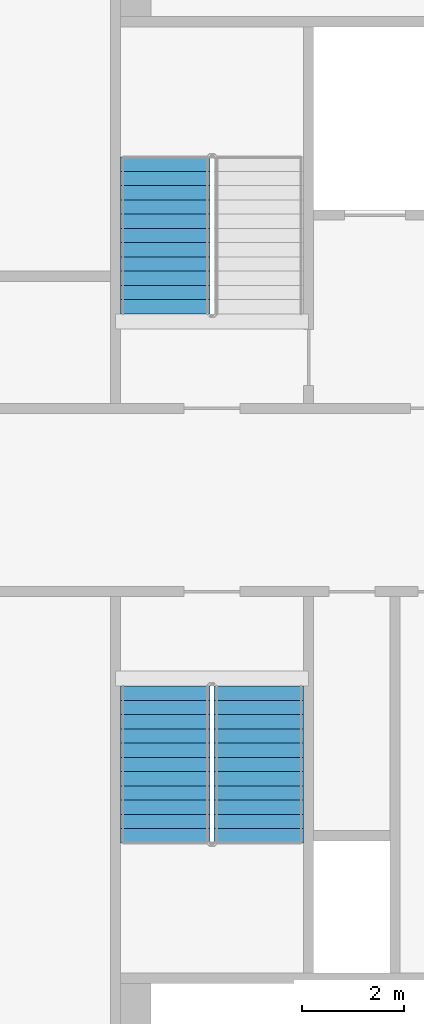
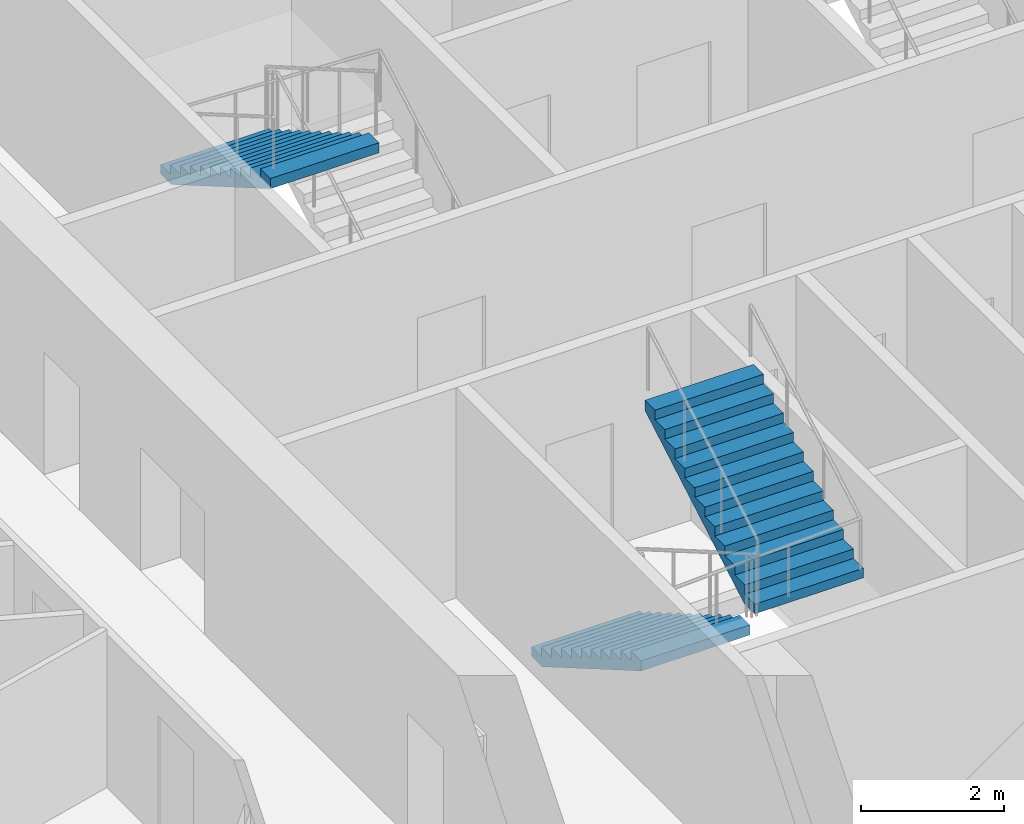
# One storey, part 8 of 11: 3 stair flights, 2 elements without a shape of their own.
"""IFC4 building model written with IfcOpenShell, lengths in metres."""

import ifcopenshell
import ifcopenshell.guid

model = None  # the IFC model being written
_history = None  # IfcOwnerHistory: only IFC2X3 demands one
_inside = {}  # id of a spatial element -> (the spatial element, [elements in it])
_under = {}  # id of a project, library or spatial element -> (it, [spatial elements below it])
_declared = {}  # id of a project -> (the project, [libraries it declares])
_typed = {}  # id of a type object -> (the type object, [elements of that type])
_made_of = {}  # id of a material, layer set ... -> (it, [elements and type objects made of it])


def new_model(schema):
    """Start an empty IFC model of exactly this schema.

    Asked for "IFC4X3", IfcOpenShell would pick the latest addendum, in which some entities
    have other attributes; the version numbers below select the first issue.
    IFC2X3 requires an IfcOwnerHistory on every rooted entity: one is made here for all.
    """
    global model, _history
    if schema == "IFC4X3":
        model = ifcopenshell.file(schema_version=(4, 3, 0, 0))
    else:
        model = ifcopenshell.file(schema=schema)
    _inside.clear()
    _under.clear()
    _declared.clear()
    _typed.clear()
    _made_of.clear()
    _history = None
    if model.schema == "IFC2X3":
        org = make("IfcOrganization", Name="unknown")
        user = make(
            "IfcPersonAndOrganization",
            ThePerson=make("IfcPerson", FamilyName="unknown"),
            TheOrganization=org,
        )
        app = make(
            "IfcApplication",
            ApplicationDeveloper=org,
            Version="unknown",
            ApplicationFullName="unknown",
            ApplicationIdentifier="unknown",
        )
        _history = make(
            "IfcOwnerHistory",
            OwningUser=user,
            OwningApplication=app,
            ChangeAction="ADDED",
            CreationDate=0,
        )
    return model


def make(cls, **values):
    """One entity of the class cls with the attributes given. An attribute that is None is left unset."""
    return model.create_entity(
        cls, **{name: value for name, value in values.items() if value is not None}
    )


def rooted(cls, **values):
    """An entity with a GlobalId (a new one), such as an element, a storey or a relation."""
    return make(cls, GlobalId=ifcopenshell.guid.new(), OwnerHistory=_history, **values)


def si_unit(unit_type, name, prefix=None):
    """IfcSIUnit, for example si_unit("LENGTHUNIT", "METRE", prefix="MILLI")."""
    return make("IfcSIUnit", UnitType=unit_type, Prefix=prefix, Name=name)


def assignment(units):
    """IfcUnitAssignment: the units of a project."""
    return None if units is None else make("IfcUnitAssignment", Units=units)


def point(xyz):
    """IfcCartesianPoint."""
    return None if xyz is None else make("IfcCartesianPoint", Coordinates=xyz)


def direction(xyz):
    """IfcDirection."""
    return None if xyz is None else make("IfcDirection", DirectionRatios=xyz)


def frame(location, z_axis=None, x_axis=None):
    """IfcAxis2Placement3D, a coordinate frame: its origin and axes. An axis left out is left unset."""
    return make(
        "IfcAxis2Placement3D",
        Location=point(location),
        Axis=direction(z_axis),
        RefDirection=direction(x_axis),
    )


def origin():
    """The frame at (0, 0, 0) with its axes left unset."""
    return frame((0.0, 0.0, 0.0))


def place(relative_to, where):
    """IfcLocalPlacement: puts the frame where relative to a parent placement (None: the world)."""
    return make(
        "IfcLocalPlacement", PlacementRelTo=relative_to, RelativePlacement=where
    )


def context(
    kind, dimensions, precision=None, world=None, true_north=None, identifier=None
):
    """IfcGeometricRepresentationContext, for example the 3D "Model" context."""
    return make(
        "IfcGeometricRepresentationContext",
        ContextIdentifier=identifier,
        ContextType=kind,
        CoordinateSpaceDimension=dimensions,
        Precision=precision,
        WorldCoordinateSystem=world,
        TrueNorth=true_north,
    )


def subcontext(parent, identifier, kind, view, scale=None):
    """IfcGeometricRepresentationSubContext, for example "Body" below "Model"."""
    return make(
        "IfcGeometricRepresentationSubContext",
        ContextIdentifier=identifier,
        ContextType=kind,
        ParentContext=parent,
        TargetScale=scale,
        TargetView=view,
    )


def project(units=None, contexts=None):
    """IfcProject with its units and contexts."""
    return rooted(
        "IfcProject",
        Name="project",
        RepresentationContexts=contexts,
        UnitsInContext=assignment(units),
    )


def spatial(cls, under=None, at=None, **own):
    """A site, building, storey or space (cls), placed at a placement, below another one or the project."""
    s = rooted(cls, ObjectPlacement=at, **own)
    if under is not None:
        _under.setdefault(under.id(), (under, []))[1].append(s)
    return s


def faces_of(points, faces, orient=None, outer=None):
    """IfcFace entities. A face is a list of loops; a loop is a list of indices into points, from 0.

    orient and outer hold one flag for each loop. By default every Orientation is true, the
    first loop of a face is its IfcFaceOuterBound and the others are IfcFaceBound.
    """
    made = []
    for i, loops in enumerate(faces):
        bounds = []
        for j, loop in enumerate(loops):
            is_outer = j == 0 if outer is None else outer[i][j]
            bounds.append(
                make(
                    "IfcFaceOuterBound" if is_outer else "IfcFaceBound",
                    Bound=make("IfcPolyLoop", Polygon=[points[k] for k in loop]),
                    Orientation=True if orient is None else orient[i][j],
                )
            )
        made.append(make("IfcFace", Bounds=bounds))
    return made


def faceted_brep(points, faces, orient=None, outer=None, voids=None):
    """IfcFacetedBrep: a solid bounded by flat faces; with voids (closed shells), ...WithVoids."""
    shared = [point(p) for p in points]
    hull = make("IfcClosedShell", CfsFaces=faces_of(shared, faces, orient, outer))
    if voids is None:
        return make("IfcFacetedBrep", Outer=hull)
    return make(
        "IfcFacetedBrepWithVoids",
        Outer=hull,
        Voids=[
            make(cls, CfsFaces=faces_of(shared, fs, o, b)) for cls, fs, o, b in voids
        ],
    )


def shape(context_of_items, identifier, shape_type, items):
    """IfcShapeRepresentation: the items that make up one representation, for example the "Body"."""
    return make(
        "IfcShapeRepresentation",
        ContextOfItems=context_of_items,
        RepresentationIdentifier=identifier,
        RepresentationType=shape_type,
        Items=items,
    )


def material(Name=None, Category=None):
    """IfcMaterial."""
    return make("IfcMaterial", Name=Name, Category=Category)


def made_of(thing, what):
    """Note that an element or type object is made of a material, layer set ...; save() writes the relation."""
    if what is not None:
        _made_of.setdefault(what.id(), (what, []))[1].append(thing)
    return thing


def type_object(cls, material=None, **own):
    """A type object (cls), such as IfcWallType, which elements share."""
    return made_of(rooted(cls, **own), material)


def element(
    cls,
    number,
    at=None,
    inside=None,
    cuts=None,
    type_object=None,
    material=None,
    context=None,
    identifier="Body",
    shape_type=None,
    held_by="IfcProductDefinitionShape",
    body=None,
    shapes=None,
    **own,
):
    """One element of the class cls, such as IfcWall. Its Tag is "e" and its number.

    at: its placement. inside: the storey or other place that contains it. cuts: it is an
    opening in that element (IfcRelVoidsElement). A single representation is given by context,
    identifier, shape_type and body (its items); several are given by shapes. held_by: the class
    of the entity that holds the representations. save() writes the other relations.
    """
    e = rooted(cls, Tag="e%d" % number, ObjectPlacement=at, **own)
    if body is not None:
        shapes = [shape(context, identifier, shape_type, body)]
    if shapes is not None:
        e.Representation = make(held_by, Representations=shapes)
    if inside is not None:
        _inside.setdefault(inside.id(), (inside, []))[1].append(e)
    if cuts is not None:
        rooted(
            "IfcRelVoidsElement", RelatingBuildingElement=cuts, RelatedOpeningElement=e
        )
    if type_object is not None:
        _typed.setdefault(type_object.id(), (type_object, []))[1].append(e)
    return made_of(e, material)


def aggregate(whole, parts):
    """IfcRelAggregates: a whole, such as a stair, and the parts it consists of."""
    return rooted("IfcRelAggregates", RelatingObject=whole, RelatedObjects=parts)


def save(model, path):
    """Write the relations noted so far, then the file.

    IfcRelAggregates (storeys below a building ...), IfcRelContainedInSpatialStructure (elements
    in a storey), IfcRelDefinesByType, IfcRelAssociatesMaterial and IfcRelDeclares: one each for
    every whole, place, type object, material and project.
    """
    for whole, parts in _under.values():
        aggregate(whole, parts)
    for where, things in _inside.values():
        rooted(
            "IfcRelContainedInSpatialStructure",
            RelatedElements=things,
            RelatingStructure=where,
        )
    for kind, things in _typed.values():
        rooted("IfcRelDefinesByType", RelatedObjects=things, RelatingType=kind)
    for what, things in _made_of.values():
        rooted("IfcRelAssociatesMaterial", RelatedObjects=things, RelatingMaterial=what)
    for by, libraries in _declared.values():
        rooted("IfcRelDeclares", RelatingContext=by, RelatedDefinitions=libraries)
    model.write(path)


model = new_model("IFC4")

# Units and contexts
model_context = context("Model", 3, precision=1e-05, world=origin(), true_north=direction((0.0, 1.0)))
body_context = subcontext(model_context, "Body", "Model", "MODEL_VIEW")
ifc_project = project(units=[si_unit("LENGTHUNIT", "METRE"), si_unit("AREAUNIT", "SQUARE_METRE"), si_unit("VOLUMEUNIT", "CUBIC_METRE"), si_unit("PLANEANGLEUNIT", "RADIAN"), si_unit("MASSUNIT", "GRAM", prefix="KILO")], contexts=[model_context])

# Site, building, storey
site_placement = place(None, origin())
site = spatial("IfcSite", under=ifc_project, at=site_placement, CompositionType="ELEMENT")
building_placement = place(site_placement, origin())
building = spatial("IfcBuilding", under=site, at=building_placement, Name="Tarsis Ring Headquarters", CompositionType="ELEMENT")
storey_placement = place(building_placement, frame((0.0, 0.0, 190.5)))
storey = spatial("IfcBuildingStorey", under=building, at=storey_placement, Name="L44", CompositionType="ELEMENT", Elevation=190.5)

# Stair, stair flight
ifc_material_1 = material(Name="Core stair 1760")
stair_type = type_object("IfcStairType", Name="Core stair 1760", PredefinedType="HALF_TURN_STAIR", material=ifc_material_1)
stair_1_placement = place(storey_placement, origin())
stair_1 = element("IfcStair", 1, at=stair_1_placement, inside=storey, type_object=stair_type, Name="L44 Firefighting stair", PredefinedType="HALF_TURN_STAIR")
ifc_material_2 = material(Name="Concrete C40/50", Category="concrete")
stair_flight_type = type_object("IfcStairFlightType", Name="Core stair flight 1760", PredefinedType="STRAIGHT", material=ifc_material_2)
stair_flight_1_placement = place(storey_placement, frame((-5.419921875, 6.739990234375, 1.949951171875), z_axis=(0.0, 0.0, 1.0), x_axis=(0.0, -1.0, 0.0)))
stair_flight_1 = element("IfcStairFlight", 2, at=stair_flight_1_placement, type_object=stair_flight_type, Name="Stair ST1 flight 2", NumberOfRisers=12, NumberOfTreads=11, PredefinedType="STRAIGHT", RiserHeight=0.1625, TreadLength=0.28, context=body_context, shape_type="Brep", body=[
    faceted_brep([(0.0, 0.8798828125, 0.0), (0.0, 0.8798828125, 0.16259765625), (0.280029296875, 0.8798828125, 0.16259765625), (0.280029296875, 0.8798828125, 0.324951171875), (0.56005859375, 0.8798828125, 0.324951171875), (0.56005859375, 0.8798828125, 0.487548828125), (0.840087890625, 0.8798828125, 0.487548828125), (0.840087890625, 0.8798828125, 0.64990234375), (1.1201171875, 0.8798828125, 0.64990234375), (1.1201171875, 0.8798828125, 0.8125), (1.39990234375, 0.8798828125, 0.8125), (1.39990234375, 0.8798828125, 0.97509765625), (1.679931640625, 0.8798828125, 0.97509765625), (1.679931640625, 0.8798828125, 1.137451171875), (1.9599609375, 0.8798828125, 1.137451171875), (1.9599609375, 0.8798828125, 1.300048828125), (2.239990234375, 0.8798828125, 1.300048828125), (2.239990234375, 0.8798828125, 1.46240234375), (2.52001953125, 0.8798828125, 1.46240234375), (2.52001953125, 0.8798828125, 1.625), (2.800048828125, 0.8798828125, 1.625), (2.800048828125, 0.8798828125, 1.78759765625), (3.080078125, 0.8798828125, 1.78759765625), (3.080078125, 0.8798828125, 1.6142578125), (0.298583984375, 0.8798828125, 0.0), (0.298583984375, -0.8798828125, 0.0), (3.080078125, -0.8798828125, 1.6142578125), (3.080078125, -0.8798828125, 1.78759765625), (2.800048828125, -0.8798828125, 1.78759765625), (2.800048828125, -0.8798828125, 1.625), (2.52001953125, -0.8798828125, 1.625), (2.52001953125, -0.8798828125, 1.46240234375), (2.239990234375, -0.8798828125, 1.46240234375), (2.239990234375, -0.8798828125, 1.300048828125), (1.9599609375, -0.8798828125, 1.300048828125), (1.9599609375, -0.8798828125, 1.137451171875), (1.679931640625, -0.8798828125, 1.137451171875), (1.679931640625, -0.8798828125, 0.97509765625), (1.39990234375, -0.8798828125, 0.97509765625), (1.39990234375, -0.8798828125, 0.8125), (1.1201171875, -0.8798828125, 0.8125), (1.1201171875, -0.8798828125, 0.64990234375), (0.840087890625, -0.8798828125, 0.64990234375), (0.840087890625, -0.8798828125, 0.487548828125), (0.56005859375, -0.8798828125, 0.487548828125), (0.56005859375, -0.8798828125, 0.324951171875), (0.280029296875, -0.8798828125, 0.324951171875), (0.280029296875, -0.8798828125, 0.16259765625), (0.0, -0.8798828125, 0.16259765625), (0.0, -0.8798828125, 0.0), (0.0, -0.43994140625, 0.16259765625), (0.0, -0.43994140625, 0.0), (0.0, 0.0, 0.16259765625), (0.0, 0.0, 0.0), (0.0, 0.43994140625, 0.16259765625), (0.0, 0.43994140625, 0.0), (0.280029296875, -0.43994140625, 0.16259765625), (0.280029296875, 0.0, 0.16259765625), (0.280029296875, 0.43994140625, 0.16259765625), (0.280029296875, -0.43994140625, 0.324951171875), (0.280029296875, 0.0, 0.324951171875), (0.280029296875, 0.43994140625, 0.324951171875), (0.56005859375, -0.43994140625, 0.324951171875), (0.56005859375, 0.0, 0.324951171875), (0.56005859375, 0.43994140625, 0.324951171875), (0.56005859375, -0.43994140625, 0.487548828125), (0.56005859375, 0.0, 0.487548828125), (0.56005859375, 0.43994140625, 0.487548828125), (0.840087890625, -0.43994140625, 0.487548828125), (0.840087890625, 0.0, 0.487548828125), (0.840087890625, 0.43994140625, 0.487548828125), (0.840087890625, -0.43994140625, 0.64990234375), (0.840087890625, 0.0, 0.64990234375), (0.840087890625, 0.43994140625, 0.64990234375), (1.1201171875, -0.43994140625, 0.64990234375), (1.1201171875, 0.0, 0.64990234375), (1.1201171875, 0.43994140625, 0.64990234375), (1.1201171875, -0.43994140625, 0.8125), (1.1201171875, 0.0, 0.8125), (1.1201171875, 0.43994140625, 0.8125), (1.39990234375, -0.43994140625, 0.8125), (1.39990234375, 0.0, 0.8125), (1.39990234375, 0.43994140625, 0.8125), (1.39990234375, -0.43994140625, 0.97509765625), (1.39990234375, 0.0, 0.97509765625), (1.39990234375, 0.43994140625, 0.97509765625), (1.679931640625, -0.43994140625, 0.97509765625), (1.679931640625, 0.0, 0.97509765625), (1.679931640625, 0.43994140625, 0.97509765625), (1.679931640625, -0.43994140625, 1.137451171875), (1.679931640625, 0.0, 1.137451171875), (1.679931640625, 0.43994140625, 1.137451171875), (1.9599609375, -0.43994140625, 1.137451171875), (1.9599609375, 0.0, 1.137451171875), (1.9599609375, 0.43994140625, 1.137451171875), (1.9599609375, -0.43994140625, 1.300048828125), (1.9599609375, 0.0, 1.300048828125), (1.9599609375, 0.43994140625, 1.300048828125), (2.239990234375, -0.43994140625, 1.300048828125), (2.239990234375, 0.0, 1.300048828125), (2.239990234375, 0.43994140625, 1.300048828125), (2.239990234375, -0.43994140625, 1.46240234375), (2.239990234375, 0.0, 1.46240234375), (2.239990234375, 0.43994140625, 1.46240234375), (2.52001953125, -0.43994140625, 1.46240234375), (2.52001953125, 0.0, 1.46240234375), (2.52001953125, 0.43994140625, 1.46240234375), (2.52001953125, -0.43994140625, 1.625), (2.52001953125, 0.0, 1.625), (2.52001953125, 0.43994140625, 1.625), (2.800048828125, -0.43994140625, 1.625), (2.800048828125, 0.0, 1.625), (2.800048828125, 0.43994140625, 1.625), (2.800048828125, -0.43994140625, 1.78759765625), (2.800048828125, 0.0, 1.78759765625), (2.800048828125, 0.43994140625, 1.78759765625), (3.080078125, -0.43994140625, 1.78759765625), (3.080078125, 0.0, 1.78759765625), (3.080078125, 0.43994140625, 1.78759765625), (3.080078125, -0.43994140625, 1.6142578125), (3.080078125, 0.0, 1.6142578125), (3.080078125, 0.43994140625, 1.6142578125), (0.298583984375, -0.43994140625, 0.0), (0.298583984375, 0.0, 0.0), (0.298583984375, 0.43994140625, 0.0)], [[[0, 1, 2, 3, 4, 5, 6, 7, 8, 9, 10, 11, 12, 13, 14, 15, 16, 17, 18, 19, 20, 21, 22, 23, 24]], [[25, 26, 27, 28, 29, 30, 31, 32, 33, 34, 35, 36, 37, 38, 39, 40, 41, 42, 43, 44, 45, 46, 47, 48, 49]], [[49, 48, 50, 51]], [[51, 50, 52, 53]], [[53, 52, 54, 55]], [[55, 54, 1, 0]], [[48, 47, 56, 50]], [[50, 56, 57, 52]], [[52, 57, 58, 54]], [[54, 58, 2, 1]], [[47, 46, 59, 56]], [[56, 59, 60, 57]], [[57, 60, 61, 58]], [[58, 61, 3, 2]], [[46, 45, 62, 59]], [[59, 62, 63, 60]], [[60, 63, 64, 61]], [[61, 64, 4, 3]], [[45, 44, 65, 62]], [[62, 65, 66, 63]], [[63, 66, 67, 64]], [[64, 67, 5, 4]], [[44, 43, 68, 65]], [[65, 68, 69, 66]], [[66, 69, 70, 67]], [[67, 70, 6, 5]], [[43, 42, 71, 68]], [[68, 71, 72, 69]], [[69, 72, 73, 70]], [[70, 73, 7, 6]], [[42, 41, 74, 71]], [[71, 74, 75, 72]], [[72, 75, 76, 73]], [[73, 76, 8, 7]], [[41, 40, 77, 74]], [[74, 77, 78, 75]], [[75, 78, 79, 76]], [[76, 79, 9, 8]], [[40, 39, 80, 77]], [[77, 80, 81, 78]], [[78, 81, 82, 79]], [[79, 82, 10, 9]], [[39, 38, 83, 80]], [[80, 83, 84, 81]], [[81, 84, 85, 82]], [[82, 85, 11, 10]], [[38, 37, 86, 83]], [[83, 86, 87, 84]], [[84, 87, 88, 85]], [[85, 88, 12, 11]], [[37, 36, 89, 86]], [[86, 89, 90, 87]], [[87, 90, 91, 88]], [[88, 91, 13, 12]], [[36, 35, 92, 89]], [[89, 92, 93, 90]], [[90, 93, 94, 91]], [[91, 94, 14, 13]], [[35, 34, 95, 92]], [[92, 95, 96, 93]], [[93, 96, 97, 94]], [[94, 97, 15, 14]], [[34, 33, 98, 95]], [[95, 98, 99, 96]], [[96, 99, 100, 97]], [[97, 100, 16, 15]], [[33, 32, 101, 98]], [[98, 101, 102, 99]], [[99, 102, 103, 100]], [[100, 103, 17, 16]], [[32, 31, 104, 101]], [[101, 104, 105, 102]], [[102, 105, 106, 103]], [[103, 106, 18, 17]], [[31, 30, 107, 104]], [[104, 107, 108, 105]], [[105, 108, 109, 106]], [[106, 109, 19, 18]], [[30, 29, 110, 107]], [[107, 110, 111, 108]], [[108, 111, 112, 109]], [[109, 112, 20, 19]], [[29, 28, 113, 110]], [[110, 113, 114, 111]], [[111, 114, 115, 112]], [[112, 115, 21, 20]], [[28, 27, 116, 113]], [[113, 116, 117, 114]], [[114, 117, 118, 115]], [[115, 118, 22, 21]], [[27, 26, 119, 116]], [[116, 119, 120, 117]], [[117, 120, 121, 118]], [[118, 121, 23, 22]], [[26, 25, 122, 119]], [[119, 122, 123, 120]], [[120, 123, 124, 121]], [[121, 124, 24, 23]], [[25, 49, 51, 122]], [[122, 51, 53, 123]], [[123, 53, 55, 124]], [[124, 55, 0, 24]]]),
])
aggregate(stair_1, [stair_flight_1])

# Stair, stair flights
stair_2_placement = place(storey_placement, origin())
stair_2 = element("IfcStair", 3, at=stair_2_placement, inside=storey, type_object=stair_type, Name="L44 Exit stair C", PredefinedType="HALF_TURN_STAIR")
stair_flight_2_placement = place(storey_placement, frame((-5.419921875, -3.659912109375, 0.0), z_axis=(0.0, 0.0, 1.0), x_axis=(0.0, -1.0, 0.0)))
stair_flight_2 = element("IfcStairFlight", 4, at=stair_flight_2_placement, type_object=stair_flight_type, Name="Stair ST3 flight 1", NumberOfRisers=12, NumberOfTreads=11, PredefinedType="STRAIGHT", RiserHeight=0.1625, TreadLength=0.28, context=body_context, shape_type="Brep", body=[
    faceted_brep([(0.0, 0.8798828125, 0.0), (0.0, 0.8798828125, 0.16259765625), (0.280029296875, 0.8798828125, 0.16259765625), (0.280029296875, 0.8798828125, 0.324951171875), (0.56005859375, 0.8798828125, 0.324951171875), (0.56005859375, 0.8798828125, 0.487548828125), (0.840087890625, 0.8798828125, 0.487548828125), (0.840087890625, 0.8798828125, 0.64990234375), (1.1201171875, 0.8798828125, 0.64990234375), (1.1201171875, 0.8798828125, 0.8125), (1.39990234375, 0.8798828125, 0.8125), (1.39990234375, 0.8798828125, 0.97509765625), (1.679931640625, 0.8798828125, 0.97509765625), (1.679931640625, 0.8798828125, 1.137451171875), (1.9599609375, 0.8798828125, 1.137451171875), (1.9599609375, 0.8798828125, 1.300048828125), (2.239990234375, 0.8798828125, 1.300048828125), (2.239990234375, 0.8798828125, 1.46240234375), (2.52001953125, 0.8798828125, 1.46240234375), (2.52001953125, 0.8798828125, 1.625), (2.800048828125, 0.8798828125, 1.625), (2.800048828125, 0.8798828125, 1.78759765625), (3.080078125, 0.8798828125, 1.78759765625), (3.080078125, 0.8798828125, 1.6142578125), (0.298583984375, 0.8798828125, 0.0), (0.298583984375, -0.8798828125, 0.0), (3.080078125, -0.8798828125, 1.6142578125), (3.080078125, -0.8798828125, 1.78759765625), (2.800048828125, -0.8798828125, 1.78759765625), (2.800048828125, -0.8798828125, 1.625), (2.52001953125, -0.8798828125, 1.625), (2.52001953125, -0.8798828125, 1.46240234375), (2.239990234375, -0.8798828125, 1.46240234375), (2.239990234375, -0.8798828125, 1.300048828125), (1.9599609375, -0.8798828125, 1.300048828125), (1.9599609375, -0.8798828125, 1.137451171875), (1.679931640625, -0.8798828125, 1.137451171875), (1.679931640625, -0.8798828125, 0.97509765625), (1.39990234375, -0.8798828125, 0.97509765625), (1.39990234375, -0.8798828125, 0.8125), (1.1201171875, -0.8798828125, 0.8125), (1.1201171875, -0.8798828125, 0.64990234375), (0.840087890625, -0.8798828125, 0.64990234375), (0.840087890625, -0.8798828125, 0.487548828125), (0.56005859375, -0.8798828125, 0.487548828125), (0.56005859375, -0.8798828125, 0.324951171875), (0.280029296875, -0.8798828125, 0.324951171875), (0.280029296875, -0.8798828125, 0.16259765625), (0.0, -0.8798828125, 0.16259765625), (0.0, -0.8798828125, 0.0), (0.0, -0.43994140625, 0.16259765625), (0.0, -0.43994140625, 0.0), (0.0, 0.0, 0.16259765625), (0.0, 0.0, 0.0), (0.0, 0.43994140625, 0.16259765625), (0.0, 0.43994140625, 0.0), (0.280029296875, -0.43994140625, 0.16259765625), (0.280029296875, 0.0, 0.16259765625), (0.280029296875, 0.43994140625, 0.16259765625), (0.280029296875, -0.43994140625, 0.324951171875), (0.280029296875, 0.0, 0.324951171875), (0.280029296875, 0.43994140625, 0.324951171875), (0.56005859375, -0.43994140625, 0.324951171875), (0.56005859375, 0.0, 0.324951171875), (0.56005859375, 0.43994140625, 0.324951171875), (0.56005859375, -0.43994140625, 0.487548828125), (0.56005859375, 0.0, 0.487548828125), (0.56005859375, 0.43994140625, 0.487548828125), (0.840087890625, -0.43994140625, 0.487548828125), (0.840087890625, 0.0, 0.487548828125), (0.840087890625, 0.43994140625, 0.487548828125), (0.840087890625, -0.43994140625, 0.64990234375), (0.840087890625, 0.0, 0.64990234375), (0.840087890625, 0.43994140625, 0.64990234375), (1.1201171875, -0.43994140625, 0.64990234375), (1.1201171875, 0.0, 0.64990234375), (1.1201171875, 0.43994140625, 0.64990234375), (1.1201171875, -0.43994140625, 0.8125), (1.1201171875, 0.0, 0.8125), (1.1201171875, 0.43994140625, 0.8125), (1.39990234375, -0.43994140625, 0.8125), (1.39990234375, 0.0, 0.8125), (1.39990234375, 0.43994140625, 0.8125), (1.39990234375, -0.43994140625, 0.97509765625), (1.39990234375, 0.0, 0.97509765625), (1.39990234375, 0.43994140625, 0.97509765625), (1.679931640625, -0.43994140625, 0.97509765625), (1.679931640625, 0.0, 0.97509765625), (1.679931640625, 0.43994140625, 0.97509765625), (1.679931640625, -0.43994140625, 1.137451171875), (1.679931640625, 0.0, 1.137451171875), (1.679931640625, 0.43994140625, 1.137451171875), (1.9599609375, -0.43994140625, 1.137451171875), (1.9599609375, 0.0, 1.137451171875), (1.9599609375, 0.43994140625, 1.137451171875), (1.9599609375, -0.43994140625, 1.300048828125), (1.9599609375, 0.0, 1.300048828125), (1.9599609375, 0.43994140625, 1.300048828125), (2.239990234375, -0.43994140625, 1.300048828125), (2.239990234375, 0.0, 1.300048828125), (2.239990234375, 0.43994140625, 1.300048828125), (2.239990234375, -0.43994140625, 1.46240234375), (2.239990234375, 0.0, 1.46240234375), (2.239990234375, 0.43994140625, 1.46240234375), (2.52001953125, -0.43994140625, 1.46240234375), (2.52001953125, 0.0, 1.46240234375), (2.52001953125, 0.43994140625, 1.46240234375), (2.52001953125, -0.43994140625, 1.625), (2.52001953125, 0.0, 1.625), (2.52001953125, 0.43994140625, 1.625), (2.800048828125, -0.43994140625, 1.625), (2.800048828125, 0.0, 1.625), (2.800048828125, 0.43994140625, 1.625), (2.800048828125, -0.43994140625, 1.78759765625), (2.800048828125, 0.0, 1.78759765625), (2.800048828125, 0.43994140625, 1.78759765625), (3.080078125, -0.43994140625, 1.78759765625), (3.080078125, 0.0, 1.78759765625), (3.080078125, 0.43994140625, 1.78759765625), (3.080078125, -0.43994140625, 1.6142578125), (3.080078125, 0.0, 1.6142578125), (3.080078125, 0.43994140625, 1.6142578125), (0.298583984375, -0.43994140625, 0.0), (0.298583984375, 0.0, 0.0), (0.298583984375, 0.43994140625, 0.0)], [[[0, 1, 2, 3, 4, 5, 6, 7, 8, 9, 10, 11, 12, 13, 14, 15, 16, 17, 18, 19, 20, 21, 22, 23, 24]], [[25, 26, 27, 28, 29, 30, 31, 32, 33, 34, 35, 36, 37, 38, 39, 40, 41, 42, 43, 44, 45, 46, 47, 48, 49]], [[49, 48, 50, 51]], [[51, 50, 52, 53]], [[53, 52, 54, 55]], [[55, 54, 1, 0]], [[48, 47, 56, 50]], [[50, 56, 57, 52]], [[52, 57, 58, 54]], [[54, 58, 2, 1]], [[47, 46, 59, 56]], [[56, 59, 60, 57]], [[57, 60, 61, 58]], [[58, 61, 3, 2]], [[46, 45, 62, 59]], [[59, 62, 63, 60]], [[60, 63, 64, 61]], [[61, 64, 4, 3]], [[45, 44, 65, 62]], [[62, 65, 66, 63]], [[63, 66, 67, 64]], [[64, 67, 5, 4]], [[44, 43, 68, 65]], [[65, 68, 69, 66]], [[66, 69, 70, 67]], [[67, 70, 6, 5]], [[43, 42, 71, 68]], [[68, 71, 72, 69]], [[69, 72, 73, 70]], [[70, 73, 7, 6]], [[42, 41, 74, 71]], [[71, 74, 75, 72]], [[72, 75, 76, 73]], [[73, 76, 8, 7]], [[41, 40, 77, 74]], [[74, 77, 78, 75]], [[75, 78, 79, 76]], [[76, 79, 9, 8]], [[40, 39, 80, 77]], [[77, 80, 81, 78]], [[78, 81, 82, 79]], [[79, 82, 10, 9]], [[39, 38, 83, 80]], [[80, 83, 84, 81]], [[81, 84, 85, 82]], [[82, 85, 11, 10]], [[38, 37, 86, 83]], [[83, 86, 87, 84]], [[84, 87, 88, 85]], [[85, 88, 12, 11]], [[37, 36, 89, 86]], [[86, 89, 90, 87]], [[87, 90, 91, 88]], [[88, 91, 13, 12]], [[36, 35, 92, 89]], [[89, 92, 93, 90]], [[90, 93, 94, 91]], [[91, 94, 14, 13]], [[35, 34, 95, 92]], [[92, 95, 96, 93]], [[93, 96, 97, 94]], [[94, 97, 15, 14]], [[34, 33, 98, 95]], [[95, 98, 99, 96]], [[96, 99, 100, 97]], [[97, 100, 16, 15]], [[33, 32, 101, 98]], [[98, 101, 102, 99]], [[99, 102, 103, 100]], [[100, 103, 17, 16]], [[32, 31, 104, 101]], [[101, 104, 105, 102]], [[102, 105, 106, 103]], [[103, 106, 18, 17]], [[31, 30, 107, 104]], [[104, 107, 108, 105]], [[105, 108, 109, 106]], [[106, 109, 19, 18]], [[30, 29, 110, 107]], [[107, 110, 111, 108]], [[108, 111, 112, 109]], [[109, 112, 20, 19]], [[29, 28, 113, 110]], [[110, 113, 114, 111]], [[111, 114, 115, 112]], [[112, 115, 21, 20]], [[28, 27, 116, 113]], [[113, 116, 117, 114]], [[114, 117, 118, 115]], [[115, 118, 22, 21]], [[27, 26, 119, 116]], [[116, 119, 120, 117]], [[117, 120, 121, 118]], [[118, 121, 23, 22]], [[26, 25, 122, 119]], [[119, 122, 123, 120]], [[120, 123, 124, 121]], [[121, 124, 24, 23]], [[25, 49, 51, 122]], [[122, 51, 53, 123]], [[123, 53, 55, 124]], [[124, 55, 0, 24]]]),
])
stair_flight_3_placement = place(storey_placement, frame((-3.580078125, -6.739990234375, 1.949951171875), z_axis=(0.0, 0.0, 1.0), x_axis=(0.0, 1.0, 0.0)))
stair_flight_3 = element("IfcStairFlight", 5, at=stair_flight_3_placement, type_object=stair_flight_type, Name="Stair ST3 flight 2", NumberOfRisers=12, NumberOfTreads=11, PredefinedType="STRAIGHT", RiserHeight=0.1625, TreadLength=0.28, context=body_context, shape_type="Brep", body=[
    faceted_brep([(0.0, 0.8798828125, 0.0), (0.0, 0.8798828125, 0.16259765625), (0.280029296875, 0.8798828125, 0.16259765625), (0.280029296875, 0.8798828125, 0.324951171875), (0.56005859375, 0.8798828125, 0.324951171875), (0.56005859375, 0.8798828125, 0.487548828125), (0.840087890625, 0.8798828125, 0.487548828125), (0.840087890625, 0.8798828125, 0.64990234375), (1.1201171875, 0.8798828125, 0.64990234375), (1.1201171875, 0.8798828125, 0.8125), (1.39990234375, 0.8798828125, 0.8125), (1.39990234375, 0.8798828125, 0.97509765625), (1.679931640625, 0.8798828125, 0.97509765625), (1.679931640625, 0.8798828125, 1.137451171875), (1.9599609375, 0.8798828125, 1.137451171875), (1.9599609375, 0.8798828125, 1.300048828125), (2.239990234375, 0.8798828125, 1.300048828125), (2.239990234375, 0.8798828125, 1.46240234375), (2.52001953125, 0.8798828125, 1.46240234375), (2.52001953125, 0.8798828125, 1.625), (2.800048828125, 0.8798828125, 1.625), (2.800048828125, 0.8798828125, 1.78759765625), (3.080078125, 0.8798828125, 1.78759765625), (3.080078125, 0.8798828125, 1.6142578125), (0.298583984375, 0.8798828125, 0.0), (0.298583984375, -0.8798828125, 0.0), (3.080078125, -0.8798828125, 1.6142578125), (3.080078125, -0.8798828125, 1.78759765625), (2.800048828125, -0.8798828125, 1.78759765625), (2.800048828125, -0.8798828125, 1.625), (2.52001953125, -0.8798828125, 1.625), (2.52001953125, -0.8798828125, 1.46240234375), (2.239990234375, -0.8798828125, 1.46240234375), (2.239990234375, -0.8798828125, 1.300048828125), (1.9599609375, -0.8798828125, 1.300048828125), (1.9599609375, -0.8798828125, 1.137451171875), (1.679931640625, -0.8798828125, 1.137451171875), (1.679931640625, -0.8798828125, 0.97509765625), (1.39990234375, -0.8798828125, 0.97509765625), (1.39990234375, -0.8798828125, 0.8125), (1.1201171875, -0.8798828125, 0.8125), (1.1201171875, -0.8798828125, 0.64990234375), (0.840087890625, -0.8798828125, 0.64990234375), (0.840087890625, -0.8798828125, 0.487548828125), (0.56005859375, -0.8798828125, 0.487548828125), (0.56005859375, -0.8798828125, 0.324951171875), (0.280029296875, -0.8798828125, 0.324951171875), (0.280029296875, -0.8798828125, 0.16259765625), (0.0, -0.8798828125, 0.16259765625), (0.0, -0.8798828125, 0.0), (0.0, -0.43994140625, 0.16259765625), (0.0, -0.43994140625, 0.0), (0.0, 0.0, 0.16259765625), (0.0, 0.0, 0.0), (0.0, 0.43994140625, 0.16259765625), (0.0, 0.43994140625, 0.0), (0.280029296875, -0.43994140625, 0.16259765625), (0.280029296875, 0.0, 0.16259765625), (0.280029296875, 0.43994140625, 0.16259765625), (0.280029296875, -0.43994140625, 0.324951171875), (0.280029296875, 0.0, 0.324951171875), (0.280029296875, 0.43994140625, 0.324951171875), (0.56005859375, -0.43994140625, 0.324951171875), (0.56005859375, 0.0, 0.324951171875), (0.56005859375, 0.43994140625, 0.324951171875), (0.56005859375, -0.43994140625, 0.487548828125), (0.56005859375, 0.0, 0.487548828125), (0.56005859375, 0.43994140625, 0.487548828125), (0.840087890625, -0.43994140625, 0.487548828125), (0.840087890625, 0.0, 0.487548828125), (0.840087890625, 0.43994140625, 0.487548828125), (0.840087890625, -0.43994140625, 0.64990234375), (0.840087890625, 0.0, 0.64990234375), (0.840087890625, 0.43994140625, 0.64990234375), (1.1201171875, -0.43994140625, 0.64990234375), (1.1201171875, 0.0, 0.64990234375), (1.1201171875, 0.43994140625, 0.64990234375), (1.1201171875, -0.43994140625, 0.8125), (1.1201171875, 0.0, 0.8125), (1.1201171875, 0.43994140625, 0.8125), (1.39990234375, -0.43994140625, 0.8125), (1.39990234375, 0.0, 0.8125), (1.39990234375, 0.43994140625, 0.8125), (1.39990234375, -0.43994140625, 0.97509765625), (1.39990234375, 0.0, 0.97509765625), (1.39990234375, 0.43994140625, 0.97509765625), (1.679931640625, -0.43994140625, 0.97509765625), (1.679931640625, 0.0, 0.97509765625), (1.679931640625, 0.43994140625, 0.97509765625), (1.679931640625, -0.43994140625, 1.137451171875), (1.679931640625, 0.0, 1.137451171875), (1.679931640625, 0.43994140625, 1.137451171875), (1.9599609375, -0.43994140625, 1.137451171875), (1.9599609375, 0.0, 1.137451171875), (1.9599609375, 0.43994140625, 1.137451171875), (1.9599609375, -0.43994140625, 1.300048828125), (1.9599609375, 0.0, 1.300048828125), (1.9599609375, 0.43994140625, 1.300048828125), (2.239990234375, -0.43994140625, 1.300048828125), (2.239990234375, 0.0, 1.300048828125), (2.239990234375, 0.43994140625, 1.300048828125), (2.239990234375, -0.43994140625, 1.46240234375), (2.239990234375, 0.0, 1.46240234375), (2.239990234375, 0.43994140625, 1.46240234375), (2.52001953125, -0.43994140625, 1.46240234375), (2.52001953125, 0.0, 1.46240234375), (2.52001953125, 0.43994140625, 1.46240234375), (2.52001953125, -0.43994140625, 1.625), (2.52001953125, 0.0, 1.625), (2.52001953125, 0.43994140625, 1.625), (2.800048828125, -0.43994140625, 1.625), (2.800048828125, 0.0, 1.625), (2.800048828125, 0.43994140625, 1.625), (2.800048828125, -0.43994140625, 1.78759765625), (2.800048828125, 0.0, 1.78759765625), (2.800048828125, 0.43994140625, 1.78759765625), (3.080078125, -0.43994140625, 1.78759765625), (3.080078125, 0.0, 1.78759765625), (3.080078125, 0.43994140625, 1.78759765625), (3.080078125, -0.43994140625, 1.6142578125), (3.080078125, 0.0, 1.6142578125), (3.080078125, 0.43994140625, 1.6142578125), (0.298583984375, -0.43994140625, 0.0), (0.298583984375, 0.0, 0.0), (0.298583984375, 0.43994140625, 0.0)], [[[0, 1, 2, 3, 4, 5, 6, 7, 8, 9, 10, 11, 12, 13, 14, 15, 16, 17, 18, 19, 20, 21, 22, 23, 24]], [[25, 26, 27, 28, 29, 30, 31, 32, 33, 34, 35, 36, 37, 38, 39, 40, 41, 42, 43, 44, 45, 46, 47, 48, 49]], [[49, 48, 50, 51]], [[51, 50, 52, 53]], [[53, 52, 54, 55]], [[55, 54, 1, 0]], [[48, 47, 56, 50]], [[50, 56, 57, 52]], [[52, 57, 58, 54]], [[54, 58, 2, 1]], [[47, 46, 59, 56]], [[56, 59, 60, 57]], [[57, 60, 61, 58]], [[58, 61, 3, 2]], [[46, 45, 62, 59]], [[59, 62, 63, 60]], [[60, 63, 64, 61]], [[61, 64, 4, 3]], [[45, 44, 65, 62]], [[62, 65, 66, 63]], [[63, 66, 67, 64]], [[64, 67, 5, 4]], [[44, 43, 68, 65]], [[65, 68, 69, 66]], [[66, 69, 70, 67]], [[67, 70, 6, 5]], [[43, 42, 71, 68]], [[68, 71, 72, 69]], [[69, 72, 73, 70]], [[70, 73, 7, 6]], [[42, 41, 74, 71]], [[71, 74, 75, 72]], [[72, 75, 76, 73]], [[73, 76, 8, 7]], [[41, 40, 77, 74]], [[74, 77, 78, 75]], [[75, 78, 79, 76]], [[76, 79, 9, 8]], [[40, 39, 80, 77]], [[77, 80, 81, 78]], [[78, 81, 82, 79]], [[79, 82, 10, 9]], [[39, 38, 83, 80]], [[80, 83, 84, 81]], [[81, 84, 85, 82]], [[82, 85, 11, 10]], [[38, 37, 86, 83]], [[83, 86, 87, 84]], [[84, 87, 88, 85]], [[85, 88, 12, 11]], [[37, 36, 89, 86]], [[86, 89, 90, 87]], [[87, 90, 91, 88]], [[88, 91, 13, 12]], [[36, 35, 92, 89]], [[89, 92, 93, 90]], [[90, 93, 94, 91]], [[91, 94, 14, 13]], [[35, 34, 95, 92]], [[92, 95, 96, 93]], [[93, 96, 97, 94]], [[94, 97, 15, 14]], [[34, 33, 98, 95]], [[95, 98, 99, 96]], [[96, 99, 100, 97]], [[97, 100, 16, 15]], [[33, 32, 101, 98]], [[98, 101, 102, 99]], [[99, 102, 103, 100]], [[100, 103, 17, 16]], [[32, 31, 104, 101]], [[101, 104, 105, 102]], [[102, 105, 106, 103]], [[103, 106, 18, 17]], [[31, 30, 107, 104]], [[104, 107, 108, 105]], [[105, 108, 109, 106]], [[106, 109, 19, 18]], [[30, 29, 110, 107]], [[107, 110, 111, 108]], [[108, 111, 112, 109]], [[109, 112, 20, 19]], [[29, 28, 113, 110]], [[110, 113, 114, 111]], [[111, 114, 115, 112]], [[112, 115, 21, 20]], [[28, 27, 116, 113]], [[113, 116, 117, 114]], [[114, 117, 118, 115]], [[115, 118, 22, 21]], [[27, 26, 119, 116]], [[116, 119, 120, 117]], [[117, 120, 121, 118]], [[118, 121, 23, 22]], [[26, 25, 122, 119]], [[119, 122, 123, 120]], [[120, 123, 124, 121]], [[121, 124, 24, 23]], [[25, 49, 51, 122]], [[122, 51, 53, 123]], [[123, 53, 55, 124]], [[124, 55, 0, 24]]]),
])
aggregate(stair_2, [stair_flight_2, stair_flight_3])

save(model, "model.ifc")
